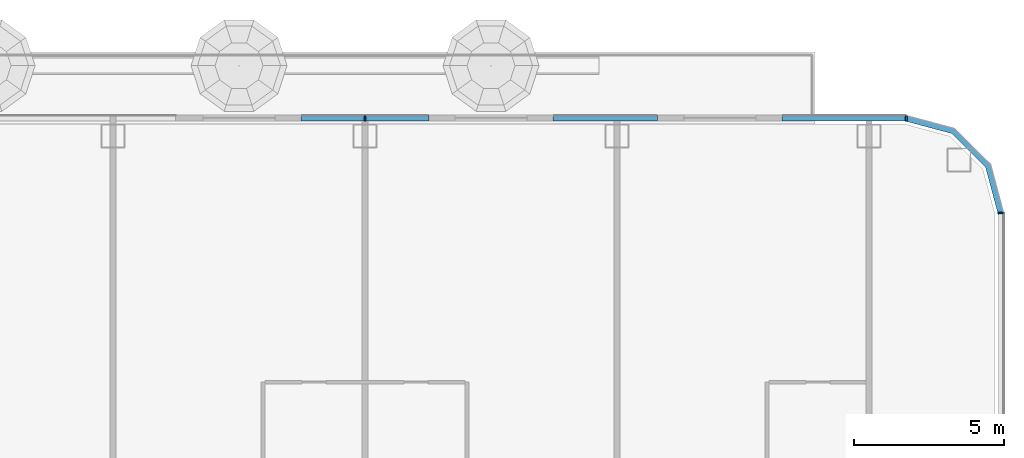
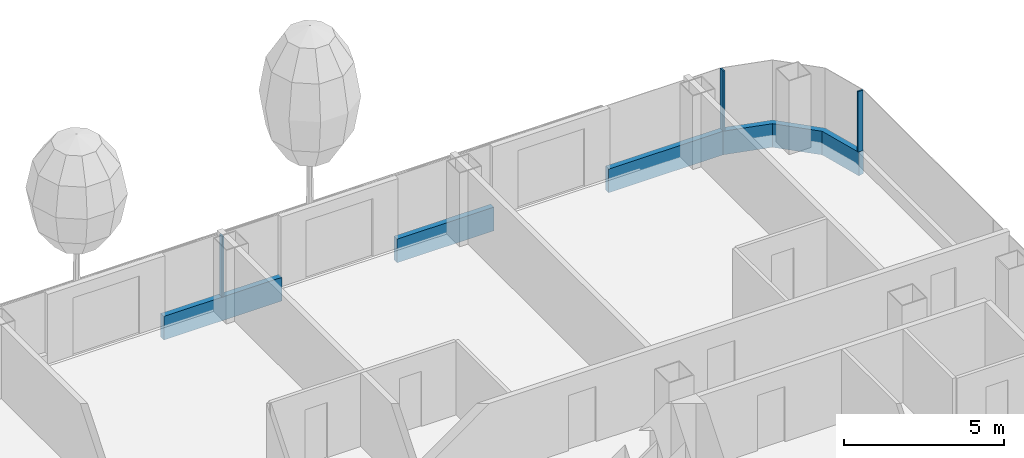
# One storey, part 11 of 34: 7 members, 3 elements without a shape of their own.
"""IFC4 building model written with IfcOpenShell, lengths in metres."""

from ifc_helpers import new_model, si_unit, direction, frame, origin, origin_2d, place, context, subcontext, project, spatial, polyline, rectangle, outline, extrude, material, layer, layer_set, material_profile, profile_set, type_object, element, aggregate, save


model = new_model("IFC4")

# Units and contexts
model_context = context("Model", 3, precision=1e-05, world=origin(), true_north=direction((0.0, 1.0)))
body_context = subcontext(model_context, "Body", "Model", "MODEL_VIEW")
ifc_project = project(units=[si_unit("LENGTHUNIT", "METRE"), si_unit("AREAUNIT", "SQUARE_METRE"), si_unit("VOLUMEUNIT", "CUBIC_METRE"), si_unit("PLANEANGLEUNIT", "RADIAN"), si_unit("MASSUNIT", "GRAM", prefix="KILO")], contexts=[model_context])

# Site, building, storey
site_placement = place(None, origin())
site = spatial("IfcSite", under=ifc_project, at=site_placement, CompositionType="ELEMENT")
building_placement = place(site_placement, origin())
building = spatial("IfcBuilding", under=site, at=building_placement, Name="Hakoniwa Tower and Hamabe Station Hall", CompositionType="ELEMENT")
storey_placement = place(building_placement, frame((0.0, 0.0, 107.39990234375)))
storey = spatial("IfcBuildingStorey", under=building, at=storey_placement, Name="L30", CompositionType="ELEMENT", Elevation=107.39990234375)

# Curtain wall, member
ifc_material_1 = material(Name="Dark low-e laminated glass", Category="glass")
ifc_layer = layer(ifc_material_1, 0.199951171875)
ifc_layer_set = layer_set([ifc_layer], Name="CW-1 UNITISED GUEST")
curtain_wall_type = type_object("IfcCurtainWallType", Name="CW-1 UNITISED GUEST", PredefinedType="NOTDEFINED", material=ifc_layer_set)
curtain_wall_1_placement = place(storey_placement, origin())
curtain_wall_1 = element("IfcCurtainWall", 1, at=curtain_wall_1_placement, inside=storey, type_object=curtain_wall_type, Name="CW-1 curtain wall", PredefinedType="NOTDEFINED")
ifc_material_2 = material(Name="Aluminium 6063-T5 black anodised", Category="aluminium")
ifc_material_profile_1 = material_profile(ifc_material_2, rectangle(XDim=0.199951171875, YDim=0.89990234375, at=origin_2d()), Name="CW SLAB-EDGE BAND 900X200")
ifc_profile_set_1 = profile_set([ifc_material_profile_1], Name="Aluminium 6063-T5 black anodised")
member_type_1 = type_object("IfcMemberType", Name="CW SLAB-EDGE BAND 900X200", PredefinedType="USERDEFINED", material=ifc_profile_set_1)
member_1_placement = place(storey_placement, frame((0.0, 0.0, -0.5498046875)))
member_1 = element("IfcMember", 2, at=member_1_placement, type_object=member_type_1, Name="CW-1 transom", ObjectType="TRANSOM", PredefinedType="USERDEFINED", context=body_context, shape_type="SweptSolid", body=[
    extrude(outline(polyline([(46.5, 20.28955078125), (46.067138671875, 21.9052734375), (44.855224609375, 23.116943359375), (43.239501953125, 23.550048828125), (43.187744140625, 23.35693359375), (44.751708984375, 22.937744140625), (45.8876953125, 21.8017578125), (46.306884765625, 20.23779296875), (46.5, 20.28955078125)])), origin(), (0.0, 0.0, 1.0), 0.89990234375),
])
aggregate(curtain_wall_1, [member_1])

# Curtain wall, members
curtain_wall_2_placement = place(storey_placement, origin())
curtain_wall_2 = element("IfcCurtainWall", 3, at=curtain_wall_2_placement, inside=storey, type_object=curtain_wall_type, Name="CW-1 curtain wall", PredefinedType="NOTDEFINED")
member_2_placement = place(storey_placement, frame((43.239501953125, 23.449951171875, -0.099853515625), z_axis=(-1.0, 0.0, 0.0), x_axis=(0.0, -1.0, 0.0)))
member_2 = element("IfcMember", 4, at=member_2_placement, type_object=member_type_1, Name="CW-1 transom", ObjectType="TRANSOM", PredefinedType="USERDEFINED", context=body_context, shape_type="SweptSolid", body=[
    extrude(rectangle(XDim=0.199951171875, YDim=0.89990234375, at=origin_2d()), origin(), (0.0, 0.0, 1.0), 4.14453125),
])
member_3_placement = place(storey_placement, frame((34.955078125, 23.449951171875, -0.099853515625), z_axis=(-1.0, 0.0, 0.0), x_axis=(0.0, -1.0, 0.0)))
member_3 = element("IfcMember", 5, at=member_3_placement, type_object=member_type_1, Name="CW-1 transom", ObjectType="TRANSOM", PredefinedType="USERDEFINED", context=body_context, shape_type="SweptSolid", body=[
    extrude(rectangle(XDim=0.199951171875, YDim=0.89990234375, at=origin_2d()), origin(), (0.0, 0.0, 1.0), 3.485107421875),
])
member_4_placement = place(storey_placement, frame((27.330078125, 23.449951171875, -0.099853515625), z_axis=(-1.0, 0.0, 0.0), x_axis=(0.0, -1.0, 0.0)))
member_4 = element("IfcMember", 6, at=member_4_placement, type_object=member_type_1, Name="CW-1 transom", ObjectType="TRANSOM", PredefinedType="USERDEFINED", context=body_context, shape_type="SweptSolid", body=[
    extrude(rectangle(XDim=0.199951171875, YDim=0.89990234375, at=origin_2d()), origin(), (0.0, 0.0, 1.0), 4.260009765625),
])

# Curtain wall, member
curtain_wall_3_placement = place(storey_placement, origin())
curtain_wall_3 = element("IfcCurtainWall", 7, at=curtain_wall_3_placement, inside=storey, type_object=curtain_wall_type, Name="CW-1 curtain wall", PredefinedType="NOTDEFINED")
ifc_material_3 = material(Name="Aluminium 6063-T5 black anodised", Category="aluminium")
ifc_material_profile_2 = material_profile(ifc_material_3, rectangle(XDim=0.06005859375, YDim=0.179931640625, at=origin_2d()), Name="CW-1 MULLION 60X180")
ifc_profile_set_2 = profile_set([ifc_material_profile_2], Name="Aluminium 6063-T5 black anodised")
member_type_2 = type_object("IfcMemberType", Name="CW-1 MULLION 60X180", PredefinedType="MULLION", material=ifc_profile_set_2)
member_5_placement = place(storey_placement, frame((46.382080078125, 20.28955078125, 0.35009765625), z_axis=(0.0, 0.0, 1.0), x_axis=(0.0, 1.0, 0.0)))
member_5 = element("IfcMember", 8, at=member_5_placement, type_object=member_type_2, Name="CW-1 mullion", PredefinedType="MULLION", context=body_context, shape_type="SweptSolid", body=[
    extrude(rectangle(XDim=0.06005859375, YDim=0.179931640625, at=origin_2d()), origin(), (0.0, 0.0, 1.0), 2.300048828125),
])
aggregate(curtain_wall_3, [member_5])

# Member
member_6_placement = place(storey_placement, frame((43.239501953125, 23.431884765625, 0.35009765625), z_axis=(0.0, 0.0, 1.0), x_axis=(-1.0, 0.0, 0.0)))
member_6 = element("IfcMember", 9, at=member_6_placement, type_object=member_type_2, Name="CW-1 mullion", PredefinedType="MULLION", context=body_context, shape_type="SweptSolid", body=[
    extrude(rectangle(XDim=0.06005859375, YDim=0.179931640625, at=origin_2d()), origin(), (0.0, 0.0, 1.0), 2.300048828125),
])

member_7_placement = place(storey_placement, frame((25.199951171875, 23.431884765625, 0.35009765625), z_axis=(0.0, 0.0, 1.0), x_axis=(-1.0, 0.0, 0.0)))
member_7 = element("IfcMember", 10, at=member_7_placement, type_object=member_type_2, Name="CW-1 mullion", PredefinedType="MULLION", context=body_context, shape_type="SweptSolid", body=[
    extrude(rectangle(XDim=0.06005859375, YDim=0.179931640625, at=origin_2d()), origin(), (0.0, 0.0, 1.0), 2.300048828125),
])

aggregate(curtain_wall_2, [member_6, member_7, member_2, member_3, member_4])

save(model, "model.ifc")
